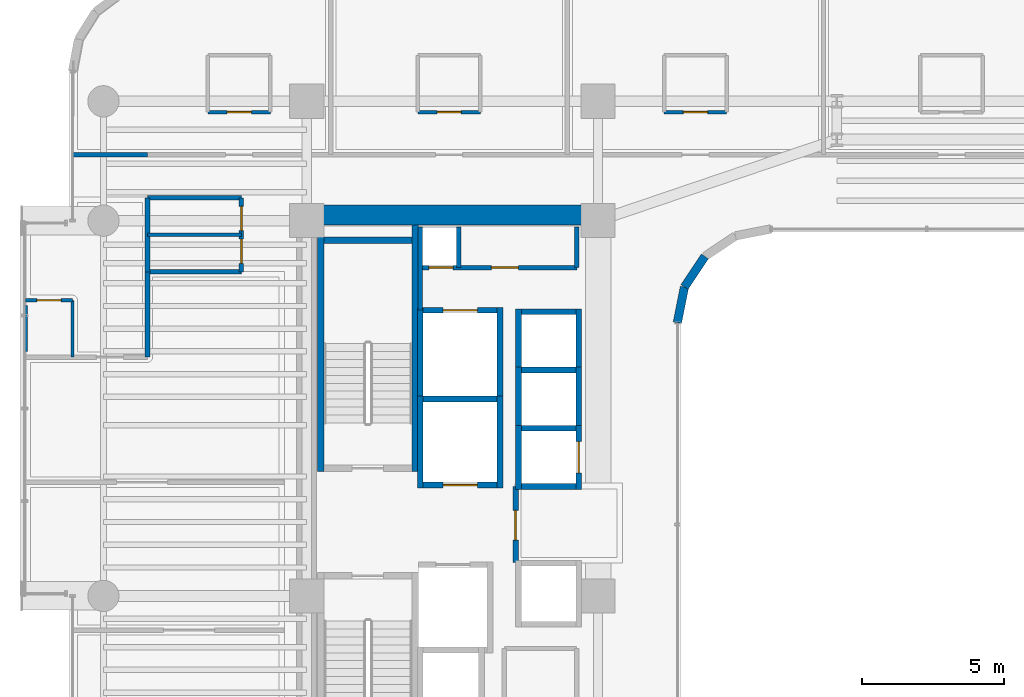
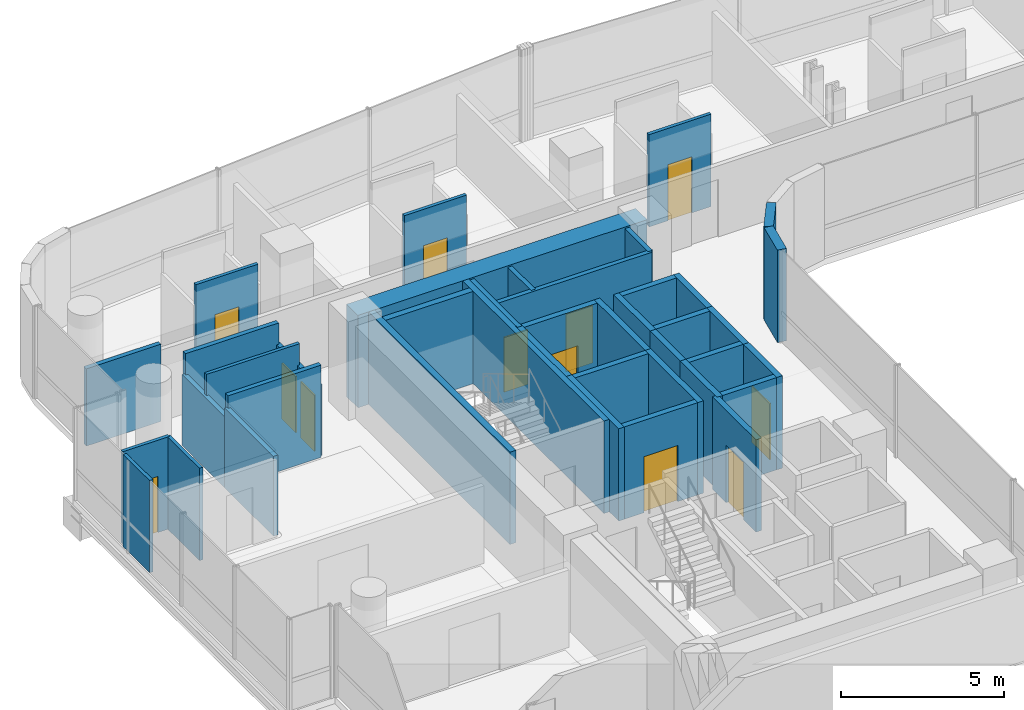
# One storey, part 27 of 35: 41 walls, 12 doors, 12 openings.
"""IFC4 building model written with IfcOpenShell, lengths in metres."""

import ifcopenshell
import ifcopenshell.guid

model = None  # the IFC model being written
_history = None  # IfcOwnerHistory: only IFC2X3 demands one
_inside = {}  # id of a spatial element -> (the spatial element, [elements in it])
_under = {}  # id of a project, library or spatial element -> (it, [spatial elements below it])
_declared = {}  # id of a project -> (the project, [libraries it declares])
_typed = {}  # id of a type object -> (the type object, [elements of that type])
_made_of = {}  # id of a material, layer set ... -> (it, [elements and type objects made of it])


def new_model(schema):
    """Start an empty IFC model of exactly this schema.

    Asked for "IFC4X3", IfcOpenShell would pick the latest addendum, in which some entities
    have other attributes; the version numbers below select the first issue.
    IFC2X3 requires an IfcOwnerHistory on every rooted entity: one is made here for all.
    """
    global model, _history
    if schema == "IFC4X3":
        model = ifcopenshell.file(schema_version=(4, 3, 0, 0))
    else:
        model = ifcopenshell.file(schema=schema)
    _inside.clear()
    _under.clear()
    _declared.clear()
    _typed.clear()
    _made_of.clear()
    _history = None
    if model.schema == "IFC2X3":
        org = make("IfcOrganization", Name="unknown")
        user = make(
            "IfcPersonAndOrganization",
            ThePerson=make("IfcPerson", FamilyName="unknown"),
            TheOrganization=org,
        )
        app = make(
            "IfcApplication",
            ApplicationDeveloper=org,
            Version="unknown",
            ApplicationFullName="unknown",
            ApplicationIdentifier="unknown",
        )
        _history = make(
            "IfcOwnerHistory",
            OwningUser=user,
            OwningApplication=app,
            ChangeAction="ADDED",
            CreationDate=0,
        )
    return model


def make(cls, **values):
    """One entity of the class cls with the attributes given. An attribute that is None is left unset."""
    return model.create_entity(
        cls, **{name: value for name, value in values.items() if value is not None}
    )


def rooted(cls, **values):
    """An entity with a GlobalId (a new one), such as an element, a storey or a relation."""
    return make(cls, GlobalId=ifcopenshell.guid.new(), OwnerHistory=_history, **values)


def si_unit(unit_type, name, prefix=None):
    """IfcSIUnit, for example si_unit("LENGTHUNIT", "METRE", prefix="MILLI")."""
    return make("IfcSIUnit", UnitType=unit_type, Prefix=prefix, Name=name)


def assignment(units):
    """IfcUnitAssignment: the units of a project."""
    return None if units is None else make("IfcUnitAssignment", Units=units)


def point(xyz):
    """IfcCartesianPoint."""
    return None if xyz is None else make("IfcCartesianPoint", Coordinates=xyz)


def direction(xyz):
    """IfcDirection."""
    return None if xyz is None else make("IfcDirection", DirectionRatios=xyz)


def frame(location, z_axis=None, x_axis=None):
    """IfcAxis2Placement3D, a coordinate frame: its origin and axes. An axis left out is left unset."""
    return make(
        "IfcAxis2Placement3D",
        Location=point(location),
        Axis=direction(z_axis),
        RefDirection=direction(x_axis),
    )


def frame_2d(location, x_axis=None):
    """IfcAxis2Placement2D, a coordinate frame in the plane: its origin and x axis."""
    return make(
        "IfcAxis2Placement2D", Location=point(location), RefDirection=direction(x_axis)
    )


def origin():
    """The frame at (0, 0, 0) with its axes left unset."""
    return frame((0.0, 0.0, 0.0))


def place(relative_to, where):
    """IfcLocalPlacement: puts the frame where relative to a parent placement (None: the world)."""
    return make(
        "IfcLocalPlacement", PlacementRelTo=relative_to, RelativePlacement=where
    )


def context(
    kind, dimensions, precision=None, world=None, true_north=None, identifier=None
):
    """IfcGeometricRepresentationContext, for example the 3D "Model" context."""
    return make(
        "IfcGeometricRepresentationContext",
        ContextIdentifier=identifier,
        ContextType=kind,
        CoordinateSpaceDimension=dimensions,
        Precision=precision,
        WorldCoordinateSystem=world,
        TrueNorth=true_north,
    )


def subcontext(parent, identifier, kind, view, scale=None):
    """IfcGeometricRepresentationSubContext, for example "Body" below "Model"."""
    return make(
        "IfcGeometricRepresentationSubContext",
        ContextIdentifier=identifier,
        ContextType=kind,
        ParentContext=parent,
        TargetScale=scale,
        TargetView=view,
    )


def project(units=None, contexts=None):
    """IfcProject with its units and contexts."""
    return rooted(
        "IfcProject",
        Name="project",
        RepresentationContexts=contexts,
        UnitsInContext=assignment(units),
    )


def spatial(cls, under=None, at=None, **own):
    """A site, building, storey or space (cls), placed at a placement, below another one or the project."""
    s = rooted(cls, ObjectPlacement=at, **own)
    if under is not None:
        _under.setdefault(under.id(), (under, []))[1].append(s)
    return s


def profile(cls, at=None, kind="AREA", **sizes):
    """A parametric profile (cls). Its sizes go by their IFC names, for example OverallWidth=200.0."""
    return make(cls, ProfileType=kind, Position=at, **sizes)


def rectangle(**sizes):
    """IfcRectangleProfileDef."""
    return profile("IfcRectangleProfileDef", **sizes)


def extrude(swept, where, along, depth):
    """IfcExtrudedAreaSolid: the profile swept, set in the frame where, extruded along a direction by depth."""
    return make(
        "IfcExtrudedAreaSolid",
        SweptArea=swept,
        Position=where,
        ExtrudedDirection=direction(along),
        Depth=depth,
    )


def shape(context_of_items, identifier, shape_type, items):
    """IfcShapeRepresentation: the items that make up one representation, for example the "Body"."""
    return make(
        "IfcShapeRepresentation",
        ContextOfItems=context_of_items,
        RepresentationIdentifier=identifier,
        RepresentationType=shape_type,
        Items=items,
    )


def material(Name=None, Category=None):
    """IfcMaterial."""
    return make("IfcMaterial", Name=Name, Category=Category)


def layer(
    of_material, thickness, ventilated=None, Name=None, Category=None, Priority=None
):
    """IfcMaterialLayer: one layer of a wall or slab, of a material (None: an air gap)."""
    return make(
        "IfcMaterialLayer",
        Material=of_material,
        LayerThickness=thickness,
        IsVentilated=ventilated,
        Name=Name,
        Category=Category,
        Priority=Priority,
    )


def layer_set(layers, Name=None):
    """IfcMaterialLayerSet."""
    return make("IfcMaterialLayerSet", MaterialLayers=layers, LayerSetName=Name)


def made_of(thing, what):
    """Note that an element or type object is made of a material, layer set ...; save() writes the relation."""
    if what is not None:
        _made_of.setdefault(what.id(), (what, []))[1].append(thing)
    return thing


def type_object(cls, material=None, **own):
    """A type object (cls), such as IfcWallType, which elements share."""
    return made_of(rooted(cls, **own), material)


def element(
    cls,
    number,
    at=None,
    inside=None,
    cuts=None,
    type_object=None,
    material=None,
    context=None,
    identifier="Body",
    shape_type=None,
    held_by="IfcProductDefinitionShape",
    body=None,
    shapes=None,
    **own,
):
    """One element of the class cls, such as IfcWall. Its Tag is "e" and its number.

    at: its placement. inside: the storey or other place that contains it. cuts: it is an
    opening in that element (IfcRelVoidsElement). A single representation is given by context,
    identifier, shape_type and body (its items); several are given by shapes. held_by: the class
    of the entity that holds the representations. save() writes the other relations.
    """
    e = rooted(cls, Tag="e%d" % number, ObjectPlacement=at, **own)
    if body is not None:
        shapes = [shape(context, identifier, shape_type, body)]
    if shapes is not None:
        e.Representation = make(held_by, Representations=shapes)
    if inside is not None:
        _inside.setdefault(inside.id(), (inside, []))[1].append(e)
    if cuts is not None:
        rooted(
            "IfcRelVoidsElement", RelatingBuildingElement=cuts, RelatedOpeningElement=e
        )
    if type_object is not None:
        _typed.setdefault(type_object.id(), (type_object, []))[1].append(e)
    return made_of(e, material)


def fill(opening, filler):
    """IfcRelFillsElement: the door or window that sits in an opening."""
    return rooted(
        "IfcRelFillsElement",
        RelatingOpeningElement=opening,
        RelatedBuildingElement=filler,
    )


def aggregate(whole, parts):
    """IfcRelAggregates: a whole, such as a stair, and the parts it consists of."""
    return rooted("IfcRelAggregates", RelatingObject=whole, RelatedObjects=parts)


def save(model, path):
    """Write the relations noted so far, then the file.

    IfcRelAggregates (storeys below a building ...), IfcRelContainedInSpatialStructure (elements
    in a storey), IfcRelDefinesByType, IfcRelAssociatesMaterial and IfcRelDeclares: one each for
    every whole, place, type object, material and project.
    """
    for whole, parts in _under.values():
        aggregate(whole, parts)
    for where, things in _inside.values():
        rooted(
            "IfcRelContainedInSpatialStructure",
            RelatedElements=things,
            RelatingStructure=where,
        )
    for kind, things in _typed.values():
        rooted("IfcRelDefinesByType", RelatedObjects=things, RelatingType=kind)
    for what, things in _made_of.values():
        rooted("IfcRelAssociatesMaterial", RelatedObjects=things, RelatingMaterial=what)
    for by, libraries in _declared.values():
        rooted("IfcRelDeclares", RelatingContext=by, RelatedDefinitions=libraries)
    model.write(path)


model = new_model("IFC4")

# Units and contexts
model_context = context("Model", 3, precision=1e-05, world=origin(), true_north=direction((0.0, 1.0)))
body_context = subcontext(model_context, "Body", "Model", "MODEL_VIEW")
ifc_project = project(units=[si_unit("LENGTHUNIT", "METRE"), si_unit("AREAUNIT", "SQUARE_METRE"), si_unit("VOLUMEUNIT", "CUBIC_METRE"), si_unit("PLANEANGLEUNIT", "RADIAN"), si_unit("MASSUNIT", "GRAM", prefix="KILO")], contexts=[model_context])

# Site, building, storey
site_placement = place(None, origin())
site = spatial("IfcSite", under=ifc_project, at=site_placement, CompositionType="ELEMENT")
building_placement = place(site_placement, origin())
building = spatial("IfcBuilding", under=site, at=building_placement, Name="Valdorenza Pilgrim Sanctuary Tower", CompositionType="ELEMENT")
storey_placement = place(building_placement, frame((0.0, 0.0, 113.10009765625)))
storey = spatial("IfcBuildingStorey", under=building, at=storey_placement, Name="L28", CompositionType="ELEMENT", Elevation=113.10009765625)

# Wall
ifc_material_1 = material(Name="Acoustic twin-stud gypsum partition", Category="gypsum")
ifc_layer_1 = layer(ifc_material_1, 0.159912109375, Name="Acoustic twin-stud gypsum partition")
ifc_layer_set_1 = layer_set([ifc_layer_1], Name="Acoustic twin-stud gypsum partition")
wall_type_1 = type_object("IfcWallType", Name="WAL-COR-160", PredefinedType="PARTITIONING", material=ifc_layer_set_1)
wall_1_placement = place(storey_placement, frame((-18.64990234375, 7.449951171875, 0.0), z_axis=(0.0, 0.0, 1.0), x_axis=(0.0, 1.0, 0.0)))
element("IfcWall", 1, at=wall_1_placement, inside=storey, type_object=wall_type_1, Name="L28 Core A North Service West Wall", PredefinedType="PARTITIONING", context=body_context, shape_type="SweptSolid", body=[
    extrude(rectangle(XDim=2.929931640625, YDim=0.159912109375, at=frame_2d((1.46484375, 0.0))), origin(), (0.0, 0.0, 1.0), 3.4599609375),
])

# Wall, openings, doors
wall_2_placement = place(storey_placement, frame((-18.64990234375, 8.949951171875, 0.0), z_axis=(0.0, 0.0, 1.0), x_axis=(1.0, 0.0, 0.0)))
wall_2 = element("IfcWall", 2, at=wall_2_placement, inside=storey, type_object=wall_type_1, Name="L28 Core A North Service South Wall", PredefinedType="PARTITIONING", context=body_context, shape_type="SweptSolid", body=[
    extrude(rectangle(XDim=5.5, YDim=0.159912109375, at=frame_2d((2.75, 0.0))), origin(), (0.0, 0.0, 1.0), 3.4599609375),
])
opening_1_placement = place(wall_2_placement, frame((0.300048828125, 0.0, 0.0)))
opening_1 = element("IfcOpeningElement", 3, at=opening_1_placement, cuts=wall_2, Name="Opening DR-RS1", PredefinedType="OPENING", context=body_context, shape_type="SweptSolid", body=[
    extrude(rectangle(XDim=0.85009765625, YDim=2.050048828125, at=frame_2d((0.425048828125, 1.02490234375))), frame((0.0, 0.0947265625, 0.0), z_axis=(0.0, -1.0, 0.0), x_axis=(1.0, 0.0, 0.0)), (0.0, 0.0, 1.0), 0.189697265625),
])
opening_2_placement = place(wall_2_placement, frame((2.5, 0.0, 0.0)))
opening_2 = element("IfcOpeningElement", 4, at=opening_2_placement, cuts=wall_2, Name="Opening DR-UN1", PredefinedType="OPENING", context=body_context, shape_type="SweptSolid", body=[
    extrude(rectangle(XDim=0.949951171875, YDim=2.14990234375, at=frame_2d((0.47509765625, 1.074951171875))), frame((0.0, 0.0947265625, 0.0), z_axis=(0.0, -1.0, 0.0), x_axis=(1.0, 0.0, 0.0)), (0.0, 0.0, 1.0), 0.189697265625),
])
ifc_material_2 = material(Name="Painted galvanized steel", Category="steel")
door_type_1 = type_object("IfcDoorType", Name="DR-RSR-850", OperationType="NOTDEFINED", PredefinedType="DOOR", material=ifc_material_2)
door_1_placement = place(opening_1_placement, origin())
door_1 = element("IfcDoor", 5, at=door_1_placement, inside=storey, type_object=door_type_1, Name="L28 Core Electrical and Telecom Riser Door", OperationType="SINGLE_SWING_LEFT", OverallHeight=2.050048828125, OverallWidth=0.85009765625, PredefinedType="DOOR", context=body_context, shape_type="SweptSolid", body=[
    extrude(rectangle(XDim=0.85009765625, YDim=2.050048828125, at=frame_2d((0.425048828125, 1.02490234375))), frame((0.0, 0.02490234375, 0.0), z_axis=(0.0, -1.0, 0.0), x_axis=(1.0, 0.0, 0.0)), (0.0, 0.0, 1.0), 0.050048828125),
])
fill(opening_1, door_1)
ifc_material_3 = material(Name="Solid-core European oak timber", Category="wood")
door_type_2 = type_object("IfcDoorType", Name="DR-UNIT-950", OperationType="NOTDEFINED", PredefinedType="DOOR", material=ifc_material_3)
door_2_placement = place(opening_2_placement, origin())
door_2 = element("IfcDoor", 6, at=door_2_placement, inside=storey, type_object=door_type_2, Name="L28 Housekeeping and Clean Linen Room Door", OperationType="SINGLE_SWING_RIGHT", OverallHeight=2.14990234375, OverallWidth=0.949951171875, PredefinedType="DOOR", context=body_context, shape_type="SweptSolid", body=[
    extrude(rectangle(XDim=0.949951171875, YDim=2.14990234375, at=frame_2d((0.47509765625, 1.074951171875))), frame((0.0, 0.02490234375, 0.0), z_axis=(0.0, -1.0, 0.0), x_axis=(1.0, 0.0, 0.0)), (0.0, 0.0, 1.0), 0.050048828125),
])
fill(opening_2, door_2)

# Walls
for number, where, z_axis, x_axis, name in (
    (7, (-13.14990234375, 8.949951171875, 0.0), (0.0, 0.0, 1.0), (0.0, 1.0, 0.0), "L28 Core A North Service East Wall"),
    (8, (-17.300048828125, 8.949951171875, 0.0), (0.0, 0.0, 1.0), (0.0, 1.0, 0.0), "L28 Core Electrical Riser Wall"),
):
    element("IfcWall", number, at=place(storey_placement, frame(where, z_axis=z_axis, x_axis=x_axis)), inside=storey, type_object=wall_type_1, Name=name, PredefinedType="PARTITIONING", context=body_context, shape_type="SweptSolid", body=[
        extrude(rectangle(XDim=1.429931640625, YDim=0.159912109375, at=frame_2d((0.71484375, 0.0))), origin(), (0.0, 0.0, 1.0), 3.4599609375),
    ])
wall_3_placement = place(storey_placement, frame((-28.25, 8.800048828125, 0.0), z_axis=(0.0, 0.0, 1.0), x_axis=(0.0, 1.0, 0.0)))
element("IfcWall", 9, at=wall_3_placement, inside=storey, type_object=wall_type_1, Name="L28 Washroom West Wall", PredefinedType="PARTITIONING", context=body_context, shape_type="SweptSolid", body=[
    extrude(rectangle(XDim=2.599853515625, YDim=0.159912109375, at=frame_2d((1.2998046875, 0.0))), origin(), (0.0, 0.0, 1.0), 2.666015625),
])

# Wall, openings, doors
wall_4_placement = place(storey_placement, frame((-24.949951171875, 8.800048828125, 0.0), z_axis=(0.0, 0.0, 1.0), x_axis=(0.0, 1.0, 0.0)))
wall_4 = element("IfcWall", 10, at=wall_4_placement, inside=storey, type_object=wall_type_1, Name="L28 Washroom East Wall", PredefinedType="PARTITIONING", context=body_context, shape_type="SweptSolid", body=[
    extrude(rectangle(XDim=2.599853515625, YDim=0.159912109375, at=frame_2d((1.2998046875, 0.0))), origin(), (0.0, 0.0, 1.0), 2.666015625),
])
opening_3_placement = place(wall_4_placement, frame((0.300048828125, 0.0, 0.0)))
opening_3 = element("IfcOpeningElement", 11, at=opening_3_placement, cuts=wall_4, Name="Opening DR-WC1", PredefinedType="OPENING", context=body_context, shape_type="SweptSolid", body=[
    extrude(rectangle(XDim=0.85009765625, YDim=2.10009765625, at=frame_2d((0.425048828125, 1.050048828125))), frame((0.0, 0.0947265625, 0.0), z_axis=(0.0, -1.0, 0.0), x_axis=(1.0, 0.0, 0.0)), (0.0, 0.0, 1.0), 0.189697265625),
])
opening_4_placement = place(wall_4_placement, frame((1.449951171875, 0.0, 0.0)))
opening_4 = element("IfcOpeningElement", 12, at=opening_4_placement, cuts=wall_4, Name="Opening DR-WC1", PredefinedType="OPENING", context=body_context, shape_type="SweptSolid", body=[
    extrude(rectangle(XDim=0.85009765625, YDim=2.10009765625, at=frame_2d((0.425048828125, 1.050048828125))), frame((0.0, 0.0947265625, 0.0), z_axis=(0.0, -1.0, 0.0), x_axis=(1.0, 0.0, 0.0)), (0.0, 0.0, 1.0), 0.189697265625),
])
ifc_material_4 = material(Name="Moisture-resistant lacquered timber", Category="wood")
door_type_3 = type_object("IfcDoorType", Name="DR-BATH-850", OperationType="NOTDEFINED", PredefinedType="DOOR", material=ifc_material_4)
door_3_placement = place(opening_3_placement, origin())
door_3 = element("IfcDoor", 13, at=door_3_placement, inside=storey, type_object=door_type_3, Name="L28 Accessible Washroom Door", OperationType="SINGLE_SWING_RIGHT", OverallHeight=2.10009765625, OverallWidth=0.85009765625, PredefinedType="DOOR", context=body_context, shape_type="SweptSolid", body=[
    extrude(rectangle(XDim=0.85009765625, YDim=2.10009765625, at=frame_2d((0.425048828125, 1.050048828125))), frame((0.0, 0.02490234375, 0.0), z_axis=(0.0, -1.0, 0.0), x_axis=(1.0, 0.0, 0.0)), (0.0, 0.0, 1.0), 0.050048828125),
])
fill(opening_3, door_3)
door_4_placement = place(opening_4_placement, origin())
door_4 = element("IfcDoor", 14, at=door_4_placement, inside=storey, type_object=door_type_3, Name="L28 Public Washroom Door", OperationType="SINGLE_SWING_LEFT", OverallHeight=2.10009765625, OverallWidth=0.85009765625, PredefinedType="DOOR", context=body_context, shape_type="SweptSolid", body=[
    extrude(rectangle(XDim=0.85009765625, YDim=2.10009765625, at=frame_2d((0.425048828125, 1.050048828125))), frame((0.0, 0.02490234375, 0.0), z_axis=(0.0, -1.0, 0.0), x_axis=(1.0, 0.0, 0.0)), (0.0, 0.0, 1.0), 0.050048828125),
])
fill(opening_4, door_4)

# Walls
for number, where, z_axis, x_axis, name in (
    (15, (-28.25, 8.800048828125, 0.0), (0.0, 0.0, 1.0), (1.0, 0.0, 0.0), "L28 Washroom South Wall"),
    (16, (-28.25, 11.39990234375, 0.0), (0.0, 0.0, 1.0), (1.0, 0.0, 0.0), "L28 Washroom North Wall"),
):
    element("IfcWall", number, at=place(storey_placement, frame(where, z_axis=z_axis, x_axis=x_axis)), inside=storey, type_object=wall_type_1, Name=name, PredefinedType="PARTITIONING", context=body_context, shape_type="SweptSolid", body=[
        extrude(rectangle(XDim=3.300048828125, YDim=0.159912109375, at=frame_2d((1.64990234375, 0.0))), origin(), (0.0, 0.0, 1.0), 3.4599609375),
    ])
wall_5_placement = place(storey_placement, frame((-28.25, 5.800048828125, 0.0), z_axis=(0.0, 0.0, 1.0), x_axis=(0.0, 1.0, 0.0)))
element("IfcWall", 17, at=wall_5_placement, inside=storey, type_object=wall_type_1, Name="L28 Cloister NE Closure", PredefinedType="PARTITIONING", context=body_context, shape_type="SweptSolid", body=[
    extrude(rectangle(XDim=3.0, YDim=0.159912109375, at=frame_2d((1.5, 0.0))), origin(), (0.0, 0.0, 1.0), 2.98779296875),
])
wall_6_placement = place(storey_placement, frame((-30.889892578125, 12.919921875, 0.0), z_axis=(0.0, 0.0, 1.0), x_axis=(1.0, 0.0, 0.0)))
element("IfcWall", 18, at=wall_6_placement, inside=storey, type_object=wall_type_1, Name="L28 Cloister North Solid Partition", PredefinedType="PARTITIONING", context=body_context, shape_type="SweptSolid", body=[
    extrude(rectangle(XDim=2.639892578125, YDim=0.159912109375, at=frame_2d((1.31982421875, 0.0))), origin(), (0.0, 0.0, 1.0), 2.89599609375),
])
ifc_material_5 = material(Name="Concrete C60/75", Category="concrete")
ifc_layer_2 = layer(ifc_material_5, 0.699951171875, Name="Concrete C60/75")
ifc_layer_set_2 = layer_set([ifc_layer_2], Name="Concrete C60/75")
wall_type_2 = type_object("IfcWallType", Name="WAL-COR-700", PredefinedType="SHEAR", material=ifc_layer_set_2)
wall_7_placement = place(storey_placement, frame((-22.64990234375, 10.800048828125, 0.0), z_axis=(0.0, 0.0, 1.0), x_axis=(1.0, 0.0, 0.0)))
element("IfcWall", 19, at=wall_7_placement, inside=storey, type_object=wall_type_2, Name="L28 Split Core A Shear Wall N", PredefinedType="SHEAR", context=body_context, shape_type="SweptSolid", body=[
    extrude(rectangle(XDim=10.25, YDim=0.699951171875, at=frame_2d((5.125, 0.0))), origin(), (0.0, 0.0, 1.0), 3.4599609375),
])
ifc_material_6 = material(Name="Honed travertine limestone", Category="masonry")
ifc_layer_3 = layer(ifc_material_6, 0.300048828125, Name="Honed travertine limestone")
ifc_layer_set_3 = layer_set([ifc_layer_3], Name="Honed travertine limestone")
wall_type_3 = type_object("IfcWallType", Name="WAL-EXT-300", PredefinedType="SOLIDWALL", material=ifc_layer_set_3)
wall_8_placement = place(storey_placement, frame((-8.64208984375, 9.342041015625, 0.0), z_axis=(0.0, 0.0, 1.0), x_axis=(-0.555615398575, -0.831439431869, 0.0)))
element("IfcWall", 20, at=wall_8_placement, inside=storey, type_object=wall_type_3, Name="L28 Rounded Wind-Corner Stone Pier 39", PredefinedType="SOLIDWALL", context=body_context, shape_type="SweptSolid", body=[
    extrude(rectangle(XDim=1.292236328125, YDim=0.300048828125, at=frame_2d((0.64599609375, 0.0))), origin(), (0.0, 0.0, 1.0), 3.4599609375),
])
wall_9_placement = place(storey_placement, frame((-9.360107421875, 8.267578125, 0.0), z_axis=(0.0, 0.0, 1.0), x_axis=(-0.195090163074, -0.980785312019, 0.0)))
element("IfcWall", 21, at=wall_9_placement, inside=storey, type_object=wall_type_3, Name="L28 Rounded Wind-Corner Stone Pier 40", PredefinedType="SOLIDWALL", context=body_context, shape_type="SweptSolid", body=[
    extrude(rectangle(XDim=1.281494140625, YDim=0.300048828125, at=frame_2d((0.640625, 0.0))), origin(), (0.0, 0.0, 1.0), 3.4599609375),
])

# Wall, opening, door
ifc_material_7 = material(Name="Gypsum shaftwall partition", Category="gypsum")
ifc_layer_4 = layer(ifc_material_7, 0.199951171875, Name="Gypsum shaftwall partition")
ifc_layer_set_4 = layer_set([ifc_layer_4], Name="Gypsum shaftwall partition")
wall_type_4 = type_object("IfcWallType", Name="WAL-FFL-200", PredefinedType="PARTITIONING", material=ifc_layer_set_4)
wall_10_placement = place(storey_placement, frame((-15.300048828125, -1.419921875, 0.0), z_axis=(0.0, 0.0, 1.0), x_axis=(0.0, 1.0, 0.0)))
wall_10 = element("IfcWall", 22, at=wall_10_placement, inside=storey, type_object=wall_type_4, Name="L28 Core A Firefighting Lobby East Wall", PredefinedType="PARTITIONING", context=body_context, shape_type="SweptSolid", body=[
    extrude(rectangle(XDim=2.669921875, YDim=0.199951171875, at=frame_2d((1.3349609375, 0.0))), origin(), (0.0, 0.0, 1.0), 3.4599609375),
])
opening_5_placement = place(wall_10_placement, frame((0.780029296875, 0.0, 0.0)))
opening_5 = element("IfcOpeningElement", 23, at=opening_5_placement, cuts=wall_10, Name="Opening DR-FL1", PredefinedType="OPENING", context=body_context, shape_type="SweptSolid", body=[
    extrude(rectangle(XDim=1.050048828125, YDim=2.14990234375, at=frame_2d((0.52490234375, 1.074951171875))), frame((0.0, 0.11474609375, 0.0), z_axis=(0.0, -1.0, 0.0), x_axis=(1.0, 0.0, 0.0)), (0.0, 0.0, 1.0), 0.229736328125),
])
door_type_4 = type_object("IfcDoorType", Name="DR-FFL-1050", OperationType="NOTDEFINED", PredefinedType="DOOR", material=ifc_material_2)
door_5_placement = place(opening_5_placement, origin())
door_5 = element("IfcDoor", 24, at=door_5_placement, inside=storey, type_object=door_type_4, Name="L28 Core A Firefighting Lobby Door", OperationType="SINGLE_SWING_RIGHT", OverallHeight=2.14990234375, OverallWidth=1.050048828125, PredefinedType="DOOR", context=body_context, shape_type="SweptSolid", body=[
    extrude(rectangle(XDim=1.050048828125, YDim=2.14990234375, at=frame_2d((0.52490234375, 1.074951171875))), frame((0.0, 0.02490234375, 0.0), z_axis=(0.0, -1.0, 0.0), x_axis=(1.0, 0.0, 0.0)), (0.0, 0.0, 1.0), 0.050048828125),
])
fill(opening_5, door_5)

# Walls
ifc_material_8 = material(Name="Moisture-resistant gypsum partition", Category="gypsum")
ifc_layer_5 = layer(ifc_material_8, 0.1201171875, Name="Moisture-resistant gypsum partition")
ifc_layer_set_5 = layer_set([ifc_layer_5], Name="Moisture-resistant gypsum partition")
wall_type_5 = type_object("IfcWallType", Name="WAL-INT-120", PredefinedType="PARTITIONING", material=ifc_layer_set_5)
wall_11_placement = place(storey_placement, frame((-28.25, 10.10009765625, 0.0), z_axis=(0.0, 0.0, 1.0), x_axis=(1.0, 0.0, 0.0)))
element("IfcWall", 25, at=wall_11_placement, inside=storey, type_object=wall_type_5, Name="L28 Washroom Divider Wall", PredefinedType="PARTITIONING", context=body_context, shape_type="SweptSolid", body=[
    extrude(rectangle(XDim=3.300048828125, YDim=0.1201171875, at=frame_2d((1.64990234375, 0.0))), origin(), (0.0, 0.0, 1.0), 3.4599609375),
])
wall_12_placement = place(storey_placement, frame((-30.889892578125, 5.800048828125, 0.0), z_axis=(0.0, 0.0, 1.0), x_axis=(0.0, 1.0, 0.0)))
element("IfcWall", 26, at=wall_12_placement, inside=storey, type_object=wall_type_5, Name="L28 Pilgrim Guest Room L28-CN1 En-suite East Wall", PredefinedType="PARTITIONING", context=body_context, shape_type="SweptSolid", body=[
    extrude(rectangle(XDim=2.0, YDim=0.1201171875, at=frame_2d((1.0, 0.0))), origin(), (0.0, 0.0, 1.0), 3.4599609375),
])

# Wall, opening, door
wall_13_placement = place(storey_placement, frame((-32.5400390625, 7.800048828125, 0.0), z_axis=(0.0, 0.0, 1.0), x_axis=(1.0, 0.0, 0.0)))
wall_13 = element("IfcWall", 27, at=wall_13_placement, inside=storey, type_object=wall_type_5, Name="L28 Pilgrim Guest Room L28-CN1 En-suite Door Wall", PredefinedType="PARTITIONING", context=body_context, shape_type="SweptSolid", body=[
    extrude(rectangle(XDim=1.650146484375, YDim=0.1201171875, at=frame_2d((0.8251953125, 0.0))), origin(), (0.0, 0.0, 1.0), 3.4599609375),
])
opening_6_placement = place(wall_13_placement, frame((0.39990234375, 0.0, 0.0)))
opening_6 = element("IfcOpeningElement", 28, at=opening_6_placement, cuts=wall_13, Name="Opening DR-WC1", PredefinedType="OPENING", context=body_context, shape_type="SweptSolid", body=[
    extrude(rectangle(XDim=0.85009765625, YDim=2.10009765625, at=frame_2d((0.425048828125, 1.050048828125))), frame((0.0, 0.074951171875, 0.0), z_axis=(0.0, -1.0, 0.0), x_axis=(1.0, 0.0, 0.0)), (0.0, 0.0, 1.0), 0.14990234375),
])
door_6_placement = place(opening_6_placement, origin())
door_6 = element("IfcDoor", 29, at=door_6_placement, inside=storey, type_object=door_type_3, Name="L28 Pilgrim Guest Room L28-CN1 En-suite Bathroom Door", OperationType="SINGLE_SWING_LEFT", OverallHeight=2.10009765625, OverallWidth=0.85009765625, PredefinedType="DOOR", context=body_context, shape_type="SweptSolid", body=[
    extrude(rectangle(XDim=0.85009765625, YDim=2.10009765625, at=frame_2d((0.425048828125, 1.050048828125))), frame((0.0, 0.02490234375, 0.0), z_axis=(0.0, -1.0, 0.0), x_axis=(1.0, 0.0, 0.0)), (0.0, 0.0, 1.0), 0.050048828125),
])
fill(opening_6, door_6)

# Wall
wall_14_placement = place(storey_placement, frame((-32.5400390625, 6.0, 0.0), z_axis=(0.0, 0.0, 1.0), x_axis=(0.0, 1.0, 0.0)))
element("IfcWall", 30, at=wall_14_placement, inside=storey, type_object=wall_type_5, Name="L28 CL-NG1-ENS Enclosure Wall W", PredefinedType="PARTITIONING", context=body_context, shape_type="SweptSolid", body=[
    extrude(rectangle(XDim=1.6201171875, YDim=0.1201171875, at=frame_2d((0.81005859375, 0.0))), origin(), (0.0, 0.0, 1.0), 3.4599609375),
])

# Wall, opening, door
wall_15_placement = place(storey_placement, frame((-26.125, 14.419921875, 0.0), z_axis=(0.0, 0.0, 1.0), x_axis=(1.0, 0.0, 0.0)))
wall_15 = element("IfcWall", 31, at=wall_15_placement, inside=storey, type_object=wall_type_5, Name="L28 North Guest Room L28-N1 En-suite Door Wall", PredefinedType="PARTITIONING", context=body_context, shape_type="SweptSolid", body=[
    extrude(rectangle(XDim=2.199951171875, YDim=0.1201171875, at=frame_2d((1.10009765625, 0.0))), origin(), (0.0, 0.0, 1.0), 3.4599609375),
])
opening_7_placement = place(wall_15_placement, frame((0.675048828125, 0.0, 0.0)))
opening_7 = element("IfcOpeningElement", 32, at=opening_7_placement, cuts=wall_15, Name="Opening DR-WC1", PredefinedType="OPENING", context=body_context, shape_type="SweptSolid", body=[
    extrude(rectangle(XDim=0.85009765625, YDim=2.10009765625, at=frame_2d((0.425048828125, 1.050048828125))), frame((0.0, 0.074951171875, 0.0), z_axis=(0.0, -1.0, 0.0), x_axis=(1.0, 0.0, 0.0)), (0.0, 0.0, 1.0), 0.14990234375),
])
door_7_placement = place(opening_7_placement, origin())
door_7 = element("IfcDoor", 33, at=door_7_placement, inside=storey, type_object=door_type_3, Name="L28 North Guest Room L28-N1 En-suite Bathroom Door", OperationType="SINGLE_SWING_RIGHT", OverallHeight=2.10009765625, OverallWidth=0.85009765625, PredefinedType="DOOR", context=body_context, shape_type="SweptSolid", body=[
    extrude(rectangle(XDim=0.85009765625, YDim=2.10009765625, at=frame_2d((0.425048828125, 1.050048828125))), frame((0.0, 0.02490234375, 0.0), z_axis=(0.0, -1.0, 0.0), x_axis=(1.0, 0.0, 0.0)), (0.0, 0.0, 1.0), 0.050048828125),
])
fill(opening_7, door_7)

wall_16_placement = place(storey_placement, frame((-18.739990234375, 14.419921875, 0.0), z_axis=(0.0, 0.0, 1.0), x_axis=(1.0, 0.0, 0.0)))
wall_16 = element("IfcWall", 34, at=wall_16_placement, inside=storey, type_object=wall_type_5, Name="L28 North Guest Room L28-N2 En-suite Door Wall", PredefinedType="PARTITIONING", context=body_context, shape_type="SweptSolid", body=[
    extrude(rectangle(XDim=2.199951171875, YDim=0.1201171875, at=frame_2d((1.10009765625, 0.0))), origin(), (0.0, 0.0, 1.0), 3.4599609375),
])
opening_8_placement = place(wall_16_placement, frame((0.675048828125, 0.0, 0.0)))
opening_8 = element("IfcOpeningElement", 35, at=opening_8_placement, cuts=wall_16, Name="Opening DR-WC1", PredefinedType="OPENING", context=body_context, shape_type="SweptSolid", body=[
    extrude(rectangle(XDim=0.85009765625, YDim=2.10009765625, at=frame_2d((0.425048828125, 1.050048828125))), frame((0.0, 0.074951171875, 0.0), z_axis=(0.0, -1.0, 0.0), x_axis=(1.0, 0.0, 0.0)), (0.0, 0.0, 1.0), 0.14990234375),
])
door_8_placement = place(opening_8_placement, origin())
door_8 = element("IfcDoor", 36, at=door_8_placement, inside=storey, type_object=door_type_3, Name="L28 North Guest Room L28-N2 En-suite Bathroom Door", OperationType="SINGLE_SWING_RIGHT", OverallHeight=2.10009765625, OverallWidth=0.85009765625, PredefinedType="DOOR", context=body_context, shape_type="SweptSolid", body=[
    extrude(rectangle(XDim=0.85009765625, YDim=2.10009765625, at=frame_2d((0.425048828125, 1.050048828125))), frame((0.0, 0.02490234375, 0.0), z_axis=(0.0, -1.0, 0.0), x_axis=(1.0, 0.0, 0.0)), (0.0, 0.0, 1.0), 0.050048828125),
])
fill(opening_8, door_8)

wall_17_placement = place(storey_placement, frame((-10.074951171875, 14.419921875, 0.0), z_axis=(0.0, 0.0, 1.0), x_axis=(1.0, 0.0, 0.0)))
wall_17 = element("IfcWall", 37, at=wall_17_placement, inside=storey, type_object=wall_type_5, Name="L28 North Guest Room L28-N3 En-suite Door Wall", PredefinedType="PARTITIONING", context=body_context, shape_type="SweptSolid", body=[
    extrude(rectangle(XDim=2.199951171875, YDim=0.1201171875, at=frame_2d((1.10009765625, 0.0))), origin(), (0.0, 0.0, 1.0), 3.4599609375),
])
opening_9_placement = place(wall_17_placement, frame((0.675048828125, 0.0, 0.0)))
opening_9 = element("IfcOpeningElement", 38, at=opening_9_placement, cuts=wall_17, Name="Opening DR-WC1", PredefinedType="OPENING", context=body_context, shape_type="SweptSolid", body=[
    extrude(rectangle(XDim=0.85009765625, YDim=2.10009765625, at=frame_2d((0.425048828125, 1.050048828125))), frame((0.0, 0.074951171875, 0.0), z_axis=(0.0, -1.0, 0.0), x_axis=(1.0, 0.0, 0.0)), (0.0, 0.0, 1.0), 0.14990234375),
])
door_9_placement = place(opening_9_placement, origin())
door_9 = element("IfcDoor", 39, at=door_9_placement, inside=storey, type_object=door_type_3, Name="L28 North Guest Room L28-N3 En-suite Bathroom Door", OperationType="SINGLE_SWING_RIGHT", OverallHeight=2.10009765625, OverallWidth=0.85009765625, PredefinedType="DOOR", context=body_context, shape_type="SweptSolid", body=[
    extrude(rectangle(XDim=0.85009765625, YDim=2.10009765625, at=frame_2d((0.425048828125, 1.050048828125))), frame((0.0, 0.02490234375, 0.0), z_axis=(0.0, -1.0, 0.0), x_axis=(1.0, 0.0, 0.0)), (0.0, 0.0, 1.0), 0.050048828125),
])
fill(opening_9, door_9)

# Walls
ifc_material_9 = material(Name="Autoclaved aerated concrete blockwork", Category="masonry")
ifc_layer_6 = layer(ifc_material_9, 0.199951171875, Name="Autoclaved aerated concrete blockwork")
ifc_layer_set_6 = layer_set([ifc_layer_6], Name="Autoclaved aerated concrete blockwork")
wall_type_6 = type_object("IfcWallType", Name="WAL-SHF-200", PredefinedType="MOVABLE", material=ifc_layer_set_6)
for number, where, z_axis, x_axis, name in (
    (40, (-18.64990234375, 1.199951171875, 0.0), (0.0, 0.0, 1.0), (0.0, 1.0, 0.0), "L28 Lift FFL-01 Hoistway Wall West"),
    (41, (-15.85009765625, 1.199951171875, 0.0), (0.0, 0.0, 1.0), (0.0, 1.0, 0.0), "L28 Lift FFL-01 Hoistway Wall East"),
):
    element("IfcWall", number, at=place(storey_placement, frame(where, z_axis=z_axis, x_axis=x_axis)), inside=storey, type_object=wall_type_6, Name=name, PredefinedType="MOVABLE", context=body_context, shape_type="SweptSolid", body=[
        extrude(rectangle(XDim=3.22509765625, YDim=0.199951171875, at=frame_2d((1.612548828125, 0.0))), origin(), (0.0, 0.0, 1.0), 3.4599609375),
    ])

# Wall, opening, door
wall_18_placement = place(storey_placement, frame((-18.550048828125, 1.300048828125, 0.0), z_axis=(0.0, 0.0, 1.0), x_axis=(1.0, 0.0, 0.0)))
wall_18 = element("IfcWall", 42, at=wall_18_placement, inside=storey, type_object=wall_type_6, Name="L28 Lift FFL-01 Hoistway Wall South", PredefinedType="MOVABLE", context=body_context, shape_type="SweptSolid", body=[
    extrude(rectangle(XDim=2.60009765625, YDim=0.199951171875, at=frame_2d((1.300048828125, 0.0))), origin(), (0.0, 0.0, 1.0), 3.4599609375),
])
opening_10_placement = place(wall_18_placement, frame((0.699951171875, 0.0, 0.0)))
opening_10 = element("IfcOpeningElement", 43, at=opening_10_placement, cuts=wall_18, Name="Opening LD-02", PredefinedType="OPENING", context=body_context, shape_type="SweptSolid", body=[
    extrude(rectangle(XDim=1.199951171875, YDim=2.10009765625, at=frame_2d((0.60009765625, 1.050048828125))), frame((0.0, 0.11474609375, 0.0), z_axis=(0.0, -1.0, 0.0), x_axis=(1.0, 0.0, 0.0)), (0.0, 0.0, 1.0), 0.229736328125),
])
ifc_material_10 = material(Name="Brushed stainless steel Grade 316", Category="steel")
door_type_5 = type_object("IfcDoorType", Name="DR-LFT-1200", OperationType="DOUBLE_DOOR_SLIDING", PredefinedType="DOOR", material=ifc_material_10)
door_10_placement = place(opening_10_placement, origin())
door_10 = element("IfcDoor", 44, at=door_10_placement, inside=storey, type_object=door_type_5, Name="L28 Lift FFL-01 Sliding Landing Door", OperationType="DOUBLE_DOOR_SLIDING", OverallHeight=2.10009765625, OverallWidth=1.199951171875, PredefinedType="DOOR", context=body_context, shape_type="SweptSolid", body=[
    extrude(rectangle(XDim=1.199951171875, YDim=2.10009765625, at=frame_2d((0.60009765625, 1.050048828125))), frame((0.0, 0.02490234375, 0.0), z_axis=(0.0, -1.0, 0.0), x_axis=(1.0, 0.0, 0.0)), (0.0, 0.0, 1.0), 0.050048828125),
])
fill(opening_10, door_10)

# Walls
wall_19_placement = place(storey_placement, frame((-18.550048828125, 4.324951171875, 0.0), z_axis=(0.0, 0.0, 1.0), x_axis=(1.0, 0.0, 0.0)))
element("IfcWall", 45, at=wall_19_placement, inside=storey, type_object=wall_type_6, Name="L28 Lift FFL-01 Hoistway Wall North", PredefinedType="MOVABLE", context=body_context, shape_type="SweptSolid", body=[
    extrude(rectangle(XDim=2.60009765625, YDim=0.199951171875, at=frame_2d((1.300048828125, 0.0))), origin(), (0.0, 0.0, 1.0), 3.4599609375),
])
for number, where, z_axis, x_axis, name in (
    (46, (-18.64990234375, 4.22509765625, 0.0), (0.0, 0.0, 1.0), (0.0, 1.0, 0.0), "L28 Lift SVL-01 Hoistway Wall West"),
    (47, (-15.85009765625, 4.22509765625, 0.0), (0.0, 0.0, 1.0), (0.0, 1.0, 0.0), "L28 Lift SVL-01 Hoistway Wall East"),
):
    element("IfcWall", number, at=place(storey_placement, frame(where, z_axis=z_axis, x_axis=x_axis)), inside=storey, type_object=wall_type_6, Name=name, PredefinedType="MOVABLE", context=body_context, shape_type="SweptSolid", body=[
        extrude(rectangle(XDim=3.324951171875, YDim=0.199951171875, at=frame_2d((1.66259765625, 0.0))), origin(), (0.0, 0.0, 1.0), 3.4599609375),
    ])

# Wall, opening, door
wall_20_placement = place(storey_placement, frame((-18.550048828125, 7.449951171875, 0.0), z_axis=(0.0, 0.0, 1.0), x_axis=(1.0, 0.0, 0.0)))
wall_20 = element("IfcWall", 48, at=wall_20_placement, inside=storey, type_object=wall_type_6, Name="L28 Lift SVL-01 Hoistway Wall North", PredefinedType="MOVABLE", context=body_context, shape_type="SweptSolid", body=[
    extrude(rectangle(XDim=2.60009765625, YDim=0.199951171875, at=frame_2d((1.300048828125, 0.0))), origin(), (0.0, 0.0, 1.0), 3.4599609375),
])
opening_11_placement = place(wall_20_placement, frame((0.699951171875, 0.0, 0.0)))
opening_11 = element("IfcOpeningElement", 49, at=opening_11_placement, cuts=wall_20, Name="Opening LD-02", PredefinedType="OPENING", context=body_context, shape_type="SweptSolid", body=[
    extrude(rectangle(XDim=1.199951171875, YDim=2.10009765625, at=frame_2d((0.60009765625, 1.050048828125))), frame((0.0, 0.11474609375, 0.0), z_axis=(0.0, -1.0, 0.0), x_axis=(1.0, 0.0, 0.0)), (0.0, 0.0, 1.0), 0.229736328125),
])
door_11_placement = place(opening_11_placement, origin())
door_11 = element("IfcDoor", 50, at=door_11_placement, inside=storey, type_object=door_type_5, Name="L28 Lift SVL-01 Sliding Landing Door", OperationType="DOUBLE_DOOR_SLIDING", OverallHeight=2.10009765625, OverallWidth=1.199951171875, PredefinedType="DOOR", context=body_context, shape_type="SweptSolid", body=[
    extrude(rectangle(XDim=1.199951171875, YDim=2.10009765625, at=frame_2d((0.60009765625, 1.050048828125))), frame((0.0, 0.02490234375, 0.0), z_axis=(0.0, -1.0, 0.0), x_axis=(1.0, 0.0, 0.0)), (0.0, 0.0, 1.0), 0.050048828125),
])
fill(opening_11, door_11)

# Wall
wall_21_placement = place(storey_placement, frame((-15.199951171875, 1.14990234375, 0.0), z_axis=(0.0, 0.0, 1.0), x_axis=(0.0, 1.0, 0.0)))
element("IfcWall", 51, at=wall_21_placement, inside=storey, type_object=wall_type_6, Name="L28 Lift PL-06 Hoistway Wall West", PredefinedType="MOVABLE", context=body_context, shape_type="SweptSolid", body=[
    extrude(rectangle(XDim=2.25, YDim=0.199951171875, at=frame_2d((1.125, 0.0))), origin(), (0.0, 0.0, 1.0), 3.4599609375),
])

# Wall, opening, door
wall_22_placement = place(storey_placement, frame((-13.080078125, 1.14990234375, 0.0), z_axis=(0.0, 0.0, 1.0), x_axis=(0.0, 1.0, 0.0)))
wall_22 = element("IfcWall", 52, at=wall_22_placement, inside=storey, type_object=wall_type_6, Name="L28 Lift PL-06 Hoistway Wall East", PredefinedType="MOVABLE", context=body_context, shape_type="SweptSolid", body=[
    extrude(rectangle(XDim=2.25, YDim=0.199951171875, at=frame_2d((1.125, 0.0))), origin(), (0.0, 0.0, 1.0), 3.4599609375),
])
opening_12_placement = place(wall_22_placement, frame((0.574951171875, 0.0, 0.0)))
opening_12 = element("IfcOpeningElement", 53, at=opening_12_placement, cuts=wall_22, Name="Opening LD-01", PredefinedType="OPENING", context=body_context, shape_type="SweptSolid", body=[
    extrude(rectangle(XDim=1.10009765625, YDim=2.10009765625, at=frame_2d((0.550048828125, 1.050048828125))), frame((0.0, 0.11474609375, 0.0), z_axis=(0.0, -1.0, 0.0), x_axis=(1.0, 0.0, 0.0)), (0.0, 0.0, 1.0), 0.229736328125),
])
door_type_6 = type_object("IfcDoorType", Name="DR-LFT-1100", OperationType="DOUBLE_DOOR_SLIDING", PredefinedType="DOOR", material=ifc_material_10)
door_12_placement = place(opening_12_placement, origin())
door_12 = element("IfcDoor", 54, at=door_12_placement, inside=storey, type_object=door_type_6, Name="L28 Lift PL-06 Sliding Landing Door", OperationType="DOUBLE_DOOR_SLIDING", OverallHeight=2.10009765625, OverallWidth=1.10009765625, PredefinedType="DOOR", context=body_context, shape_type="SweptSolid", body=[
    extrude(rectangle(XDim=1.10009765625, YDim=2.10009765625, at=frame_2d((0.550048828125, 1.050048828125))), frame((0.0, 0.02490234375, 0.0), z_axis=(0.0, -1.0, 0.0), x_axis=(1.0, 0.0, 0.0)), (0.0, 0.0, 1.0), 0.050048828125),
])
fill(opening_12, door_12)

# Walls
wall_23_placement = place(storey_placement, frame((-15.10009765625, 1.25, 0.0), z_axis=(0.0, 0.0, 1.0), x_axis=(1.0, 0.0, 0.0)))
element("IfcWall", 55, at=wall_23_placement, inside=storey, type_object=wall_type_6, Name="L28 Lift PL-06 Hoistway Wall South", PredefinedType="MOVABLE", context=body_context, shape_type="SweptSolid", body=[
    extrude(rectangle(XDim=1.920166015625, YDim=0.199951171875, at=frame_2d((0.9599609375, 0.0))), origin(), (0.0, 0.0, 1.0), 3.4599609375),
])
for number, where, z_axis, x_axis, name in (
    (56, (-15.199951171875, 3.199951171875, 0.0), (0.0, 0.0, 1.0), (0.0, 1.0, 0.0), "L28 Lift PL-09 Hoistway Wall West"),
    (57, (-13.080078125, 3.199951171875, 0.0), (0.0, 0.0, 1.0), (0.0, 1.0, 0.0), "L28 Lift PL-09 Hoistway Wall East"),
):
    element("IfcWall", number, at=place(storey_placement, frame(where, z_axis=z_axis, x_axis=x_axis)), inside=storey, type_object=wall_type_6, Name=name, PredefinedType="MOVABLE", context=body_context, shape_type="SweptSolid", body=[
        extrude(rectangle(XDim=2.25, YDim=0.199951171875, at=frame_2d((1.125, 0.0))), origin(), (0.0, 0.0, 1.0), 3.4599609375),
    ])
for number, where, z_axis, x_axis, name in (
    (58, (-15.10009765625, 3.300048828125, 0.0), (0.0, 0.0, 1.0), (1.0, 0.0, 0.0), "L28 Lift PL-09 Hoistway Wall South"),
    (59, (-15.10009765625, 5.35009765625, 0.0), (0.0, 0.0, 1.0), (1.0, 0.0, 0.0), "L28 Lift PL-09 Hoistway Wall North"),
):
    element("IfcWall", number, at=place(storey_placement, frame(where, z_axis=z_axis, x_axis=x_axis)), inside=storey, type_object=wall_type_6, Name=name, PredefinedType="MOVABLE", context=body_context, shape_type="SweptSolid", body=[
        extrude(rectangle(XDim=1.920166015625, YDim=0.199951171875, at=frame_2d((0.9599609375, 0.0))), origin(), (0.0, 0.0, 1.0), 3.4599609375),
    ])
for number, where, z_axis, x_axis, name in (
    (60, (-15.199951171875, 5.25, 0.0), (0.0, 0.0, 1.0), (0.0, 1.0, 0.0), "L28 Lift PL-10 Hoistway Wall West"),
    (61, (-13.080078125, 5.25, 0.0), (0.0, 0.0, 1.0), (0.0, 1.0, 0.0), "L28 Lift PL-10 Hoistway Wall East"),
):
    element("IfcWall", number, at=place(storey_placement, frame(where, z_axis=z_axis, x_axis=x_axis)), inside=storey, type_object=wall_type_6, Name=name, PredefinedType="MOVABLE", context=body_context, shape_type="SweptSolid", body=[
        extrude(rectangle(XDim=2.25, YDim=0.199951171875, at=frame_2d((1.125, 0.0))), origin(), (0.0, 0.0, 1.0), 3.4599609375),
    ])
wall_24_placement = place(storey_placement, frame((-15.10009765625, 7.39990234375, 0.0), z_axis=(0.0, 0.0, 1.0), x_axis=(1.0, 0.0, 0.0)))
element("IfcWall", 62, at=wall_24_placement, inside=storey, type_object=wall_type_6, Name="L28 Lift PL-10 Hoistway Wall North", PredefinedType="MOVABLE", context=body_context, shape_type="SweptSolid", body=[
    extrude(rectangle(XDim=1.920166015625, YDim=0.199951171875, at=frame_2d((0.9599609375, 0.0))), origin(), (0.0, 0.0, 1.0), 3.4599609375),
])
ifc_material_11 = material(Name="Concrete C40/50", Category="concrete")
ifc_layer_7 = layer(ifc_material_11, 0.219970703125, Name="Concrete C40/50")
ifc_layer_set_7 = layer_set([ifc_layer_7], Name="Concrete C40/50")
wall_type_7 = type_object("IfcWallType", Name="WAL-STR-SHF-220", PredefinedType="SHEAR", material=ifc_layer_set_7)
for number, where, z_axis, x_axis, name in (
    (63, (-22.159912109375, 1.780029296875, 0.0), (0.0, 0.0, 1.0), (0.0, 1.0, 0.0), "L28 ST-A1 Structural Stairwell Wall W"),
    (64, (-18.830078125, 1.780029296875, 0.0), (0.0, 0.0, 1.0), (0.0, 1.0, 0.0), "L28 ST-A1 Structural Stairwell Wall E"),
):
    element("IfcWall", number, at=place(storey_placement, frame(where, z_axis=z_axis, x_axis=x_axis)), inside=storey, type_object=wall_type_7, Name=name, PredefinedType="SHEAR", context=body_context, shape_type="SweptSolid", body=[
        extrude(rectangle(XDim=8.669921875, YDim=0.219970703125, at=frame_2d((4.3349609375, 0.0))), origin(), (0.0, 0.0, 1.0), 3.4599609375),
    ])
wall_25_placement = place(storey_placement, frame((-22.050048828125, 9.909912109375, 0.0), z_axis=(0.0, 0.0, 1.0), x_axis=(1.0, 0.0, 0.0)))
element("IfcWall", 65, at=wall_25_placement, inside=storey, type_object=wall_type_7, Name="L28 ST-A1 Structural Stairwell Wall N", PredefinedType="SHEAR", context=body_context, shape_type="SweptSolid", body=[
    extrude(rectangle(XDim=3.110107421875, YDim=0.219970703125, at=frame_2d((1.55517578125, 0.0))), origin(), (0.0, 0.0, 1.0), 3.4599609375),
])

save(model, "model.ifc")
